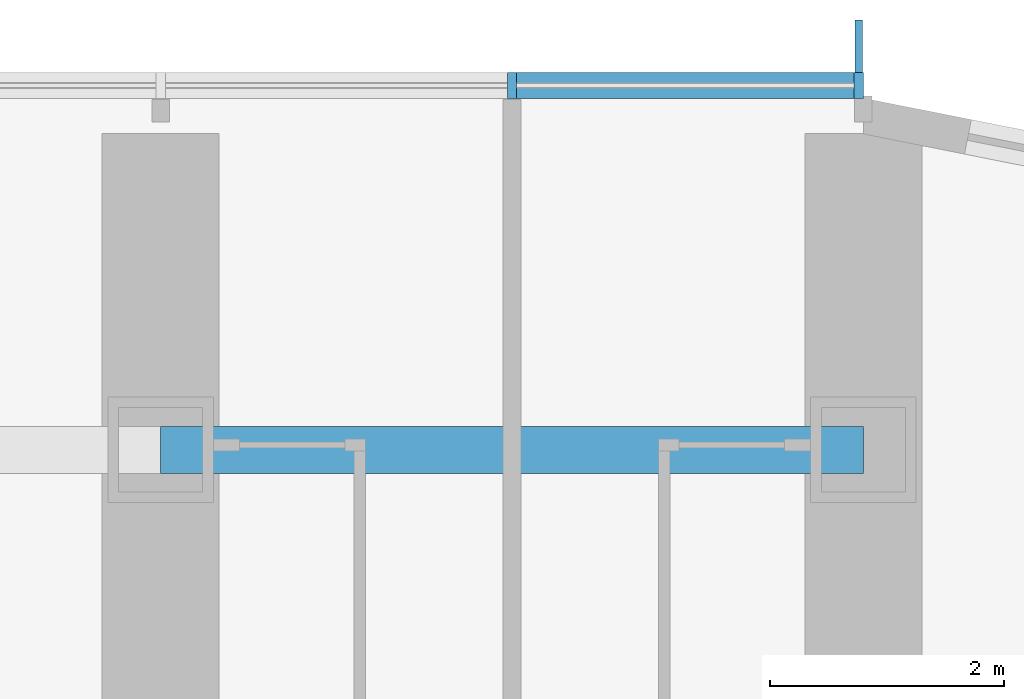
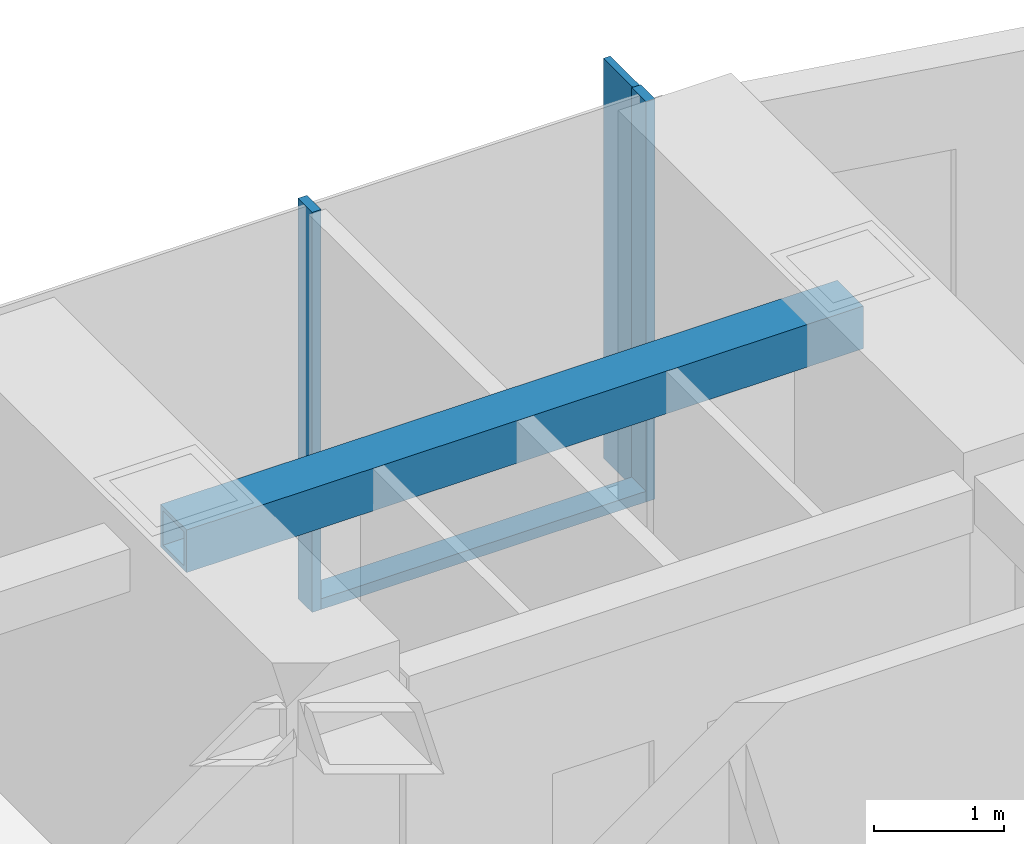
# One storey, part 7 of 23: 4 members, 1 beam, 1 element without a shape of its own.
"""IFC4 building model written with IfcOpenShell, lengths in metres."""

from ifc_helpers import new_model, si_unit, direction, frame, origin, origin_2d, place, context, subcontext, project, spatial, rectangle, hollow_rectangle, extrude, material, material_profile, profile_set, type_object, element, aggregate, save


model = new_model("IFC4")

# Units and contexts
model_context = context("Model", 3, precision=1e-05, world=origin(), true_north=direction((0.0, 1.0)))
body_context = subcontext(model_context, "Body", "Model", "MODEL_VIEW")
ifc_project = project(units=[si_unit("LENGTHUNIT", "METRE"), si_unit("AREAUNIT", "SQUARE_METRE"), si_unit("VOLUMEUNIT", "CUBIC_METRE"), si_unit("PLANEANGLEUNIT", "RADIAN"), si_unit("MASSUNIT", "GRAM", prefix="KILO")], contexts=[model_context])

# Site, building, storey
site_placement = place(None, origin())
site = spatial("IfcSite", under=ifc_project, at=site_placement, CompositionType="ELEMENT")
building_placement = place(site_placement, origin())
building = spatial("IfcBuilding", under=site, at=building_placement, Name="Orbita Commons", CompositionType="ELEMENT")
storey_placement = place(building_placement, frame((0.0, 0.0, 61.449951171875)))
storey = spatial("IfcBuildingStorey", under=building, at=storey_placement, Name="L15", CompositionType="ELEMENT", Elevation=61.449951171875)

# Curtain wall, members
ifc_material_1 = material(Name="Anodised aluminium frame, pale silver", Category="aluminium")
curtain_wall_type = type_object("IfcCurtainWallType", Name="Unitised curtain wall CW-T, vision and spandrel", PredefinedType="NOTDEFINED", material=ifc_material_1)
curtain_wall_placement = place(storey_placement, origin())
curtain_wall = element("IfcCurtainWall", 1, at=curtain_wall_placement, inside=storey, type_object=curtain_wall_type, Name="Curtain wall north L15", PredefinedType="NOTDEFINED")
ifc_material_2 = material(Name="Anodised aluminium, pale silver", Category="aluminium")
ifc_material_profile_1 = material_profile(ifc_material_2, rectangle(XDim=0.080078125, YDim=0.219970703125, at=origin_2d()), Name="AL 80x220")
ifc_profile_set_1 = profile_set([ifc_material_profile_1], Name="Anodised aluminium, pale silver")
member_type_1 = type_object("IfcMemberType", Name="Curtain wall mullion 80x220", PredefinedType="MULLION", material=ifc_profile_set_1)
member_1_placement = place(storey_placement, frame((71.9599609375, 56.7099609375, -0.25), z_axis=(0.0, 0.0, 1.0), x_axis=(-1.0, 0.0, 0.0)))
member_1 = element("IfcMember", 2, at=member_1_placement, type_object=member_type_1, Name="Mullion 1 CW-L15-N", PredefinedType="MULLION", context=body_context, shape_type="SweptSolid", body=[
    extrude(rectangle(XDim=0.080078125, YDim=0.219970703125, at=origin_2d()), origin(), (0.0, 0.0, 1.0), 3.75),
])
member_2_placement = place(storey_placement, frame((69.0, 56.7099609375, -0.25), z_axis=(0.0, 0.0, 1.0), x_axis=(-1.0, 0.0, 0.0)))
member_2 = element("IfcMember", 3, at=member_2_placement, type_object=member_type_1, Name="Mullion 2 CW-L15-N", PredefinedType="MULLION", context=body_context, shape_type="SweptSolid", body=[
    extrude(rectangle(XDim=0.080078125, YDim=0.219970703125, at=origin_2d()), origin(), (0.0, 0.0, 1.0), 3.75),
])
ifc_material_3 = material(Name="Anodised aluminium, pale silver", Category="aluminium")
ifc_material_profile_2 = material_profile(ifc_material_3, rectangle(XDim=0.219970703125, YDim=0.10009765625, at=origin_2d()), Name="AL 220x100")
ifc_profile_set_2 = profile_set([ifc_material_profile_2], Name="Anodised aluminium, pale silver")
member_type_2 = type_object("IfcMemberType", Name="Curtain wall stack transom 220x100", PredefinedType="USERDEFINED", material=ifc_profile_set_2)
member_3_placement = place(storey_placement, frame((71.919921875, 56.7099609375, -0.199951171875), z_axis=(-1.0, 0.0, 0.0), x_axis=(0.0, -1.0, 0.0)))
member_3 = element("IfcMember", 4, at=member_3_placement, type_object=member_type_2, Name="Transom 1.1 CW-L15-N", ObjectType="TRANSOM", PredefinedType="USERDEFINED", context=body_context, shape_type="SweptSolid", body=[
    extrude(rectangle(XDim=0.219970703125, YDim=0.10009765625, at=origin_2d()), origin(), (0.0, 0.0, 1.0), 2.8798828125),
])

# Beam
ifc_material_4 = material(Name="Steel ASTM A572 Gr 50 welded plate", Category="steel")
ifc_material_profile_3 = material_profile(ifc_material_4, hollow_rectangle(XDim=0.39990234375, YDim=0.39990234375, WallThickness=0.0400390625, at=origin_2d()), Name="BOX 400x400x40")
ifc_profile_set_3 = profile_set([ifc_material_profile_3], Name="Steel ASTM A572 Gr 50 welded plate")
beam_type = type_object("IfcBeamType", Name="Steel spandrel BOX 400x400x40", PredefinedType="SPANDREL", material=ifc_profile_set_3)
beam_placement = place(storey_placement, frame((66.0, 53.60009765625, 3.300048828125), z_axis=(1.0, 0.0, 0.0), x_axis=(0.0, 1.0, 0.0)))
element("IfcBeam", 5, at=beam_placement, inside=storey, type_object=beam_type, Name="Spandrel beam E 12-13 L15", PredefinedType="SPANDREL", context=body_context, shape_type="SweptSolid", body=[
    extrude(hollow_rectangle(XDim=0.39990234375, YDim=0.39990234375, WallThickness=0.0400390625, at=origin_2d()), origin(), (0.0, 0.0, 1.0), 6.0),
])

# Member
ifc_material_5 = material(Name="Anodised aluminium, pale silver", Category="aluminium")
ifc_material_profile_4 = material_profile(ifc_material_5, rectangle(XDim=0.06005859375, YDim=0.449951171875, at=origin_2d()), Name="FIN 60x450")
ifc_profile_set_4 = profile_set([ifc_material_profile_4], Name="Anodised aluminium, pale silver")
member_type_3 = type_object("IfcMemberType", Name="Vertical fin 60x450 pale aluminium", PredefinedType="USERDEFINED", material=ifc_profile_set_4)
member_4_placement = place(storey_placement, frame((71.9599609375, 57.044921875, -0.25), z_axis=(0.0, 0.0, 1.0), x_axis=(-1.0, 0.0, 0.0)))
member_4 = element("IfcMember", 6, at=member_4_placement, type_object=member_type_3, Name="Fin 1 CW-L15-N", ObjectType="FIN", PredefinedType="USERDEFINED", context=body_context, shape_type="SweptSolid", body=[
    extrude(rectangle(XDim=0.06005859375, YDim=0.449951171875, at=origin_2d()), origin(), (0.0, 0.0, 1.0), 3.75),
])

aggregate(curtain_wall, [member_1, member_4, member_2, member_3])

save(model, "model.ifc")
